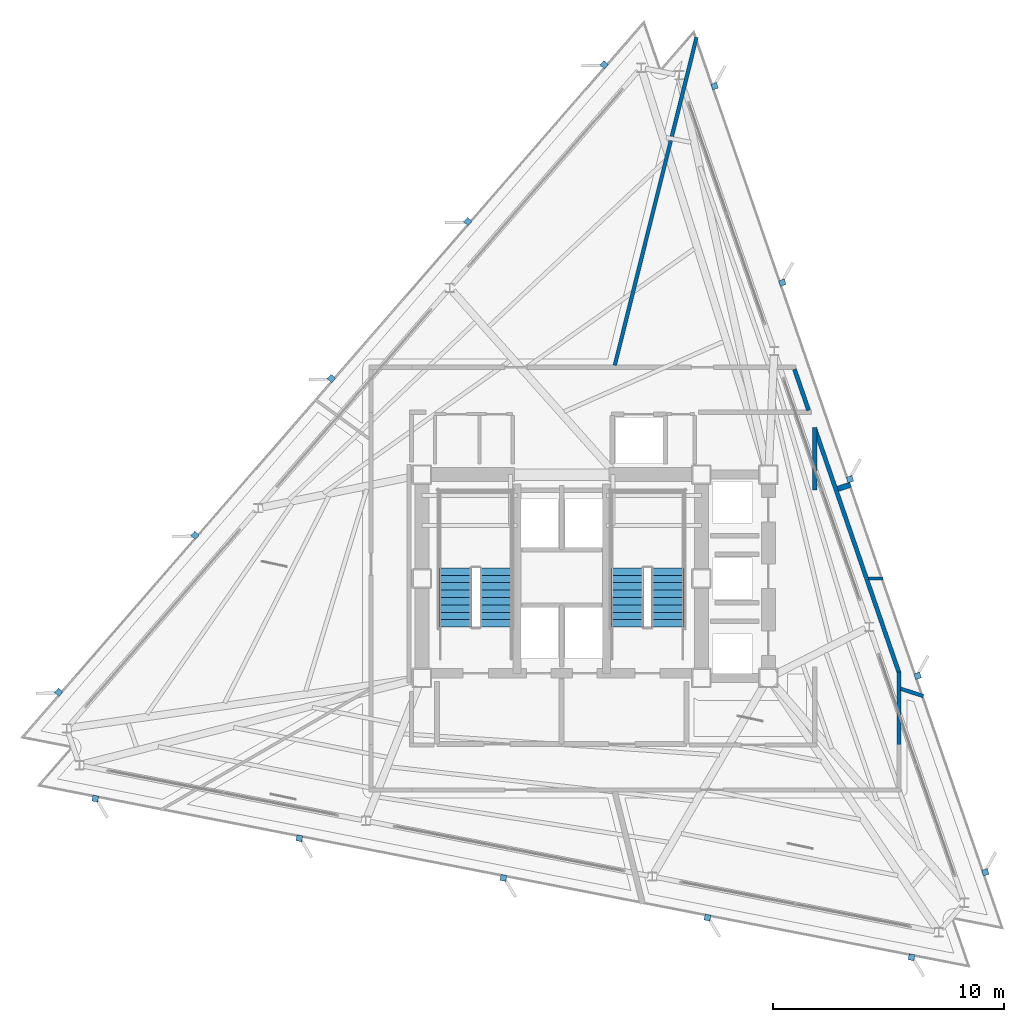
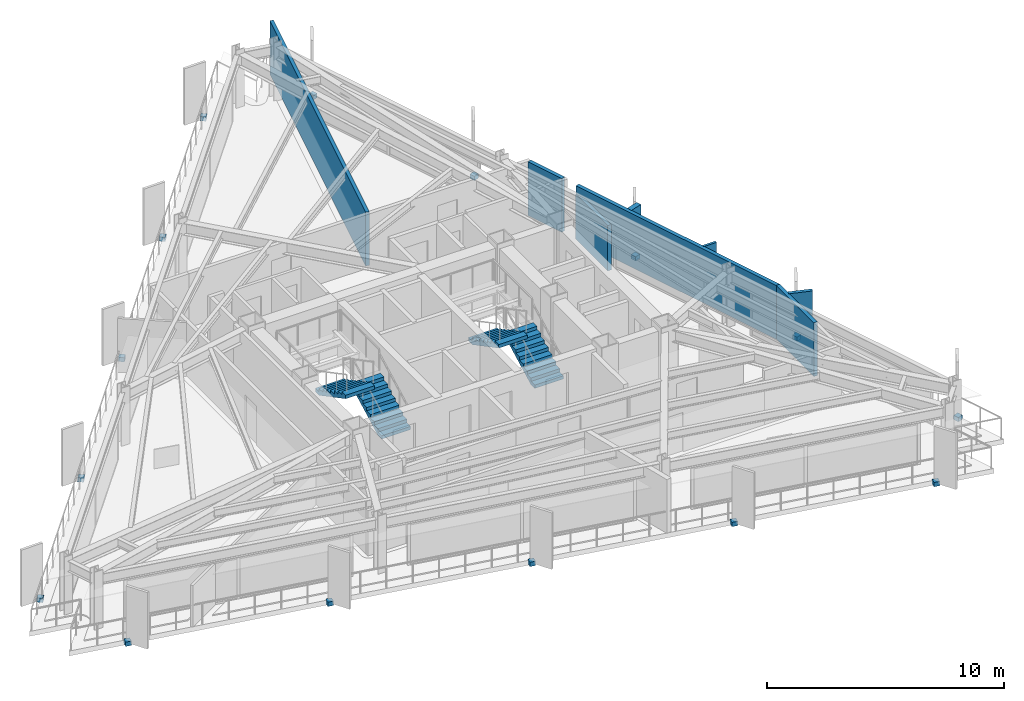
# One storey, part 10 of 13: 15 discrete accessories, 8 walls, 4 stair flights, 2 elements without a shape of their own.
"""IFC4 building model written with IfcOpenShell, lengths in metres."""

from ifc_helpers import new_model, si_unit, direction, frame, frame_2d, origin, origin_2d, place, context, subcontext, project, spatial, polyline, rectangle, outline, extrude, material, layer, layer_set, type_object, element, aggregate, save


model = new_model("IFC4")

# Units and contexts
model_context = context("Model", 3, precision=1e-05, world=origin(), true_north=direction((0.0, 1.0)))
body_context = subcontext(model_context, "Body", "Model", "MODEL_VIEW")
ifc_project = project(units=[si_unit("LENGTHUNIT", "METRE"), si_unit("AREAUNIT", "SQUARE_METRE"), si_unit("VOLUMEUNIT", "CUBIC_METRE"), si_unit("PLANEANGLEUNIT", "RADIAN"), si_unit("MASSUNIT", "GRAM", prefix="KILO")], contexts=[model_context])

# Site, building, storey
site_placement = place(None, origin())
site = spatial("IfcSite", under=ifc_project, at=site_placement, CompositionType="ELEMENT")
building_placement = place(site_placement, origin())
building = spatial("IfcBuilding", under=site, at=building_placement, Name="Rocaltana Carrier Exchange", CompositionType="ELEMENT")
storey_placement = place(building_placement, frame((0.0, 0.0, 153.280029296875)))
storey = spatial("IfcBuildingStorey", under=building, at=storey_placement, Name="L48", CompositionType="ELEMENT", Elevation=153.280029296875)

# Walls
ifc_material_1 = material(Name="Double Acoustic Gypsum Partition", Category="gypsum")
ifc_layer_1 = layer(ifc_material_1, 0.159912109375)
ifc_layer_set_1 = layer_set([ifc_layer_1], Name="Double Acoustic Gypsum Partition")
wall_type_1 = type_object("IfcWallType", Name="Acoustic Studio Partition 160 EI60", PredefinedType="PARTITIONING", material=ifc_layer_set_1)
wall_1_placement = place(storey_placement, frame((14.679931640625, -4.769775390625, 0.0), z_axis=(0.0, 0.0, 1.0), x_axis=(0.951039270022, -0.309070067906, 0.0)))
element("IfcWall", 1, at=wall_1_placement, inside=storey, type_object=wall_type_1, Name="L48 Suite Divider Wall D3", PredefinedType="PARTITIONING", context=body_context, shape_type="SweptSolid", body=[
    extrude(rectangle(XDim=1.034912109375, YDim=0.159912109375, at=frame_2d((0.517578125, 0.0))), origin(), (0.0, 0.0, 1.0), 2.762939453125),
])
wall_2_placement = place(storey_placement, frame((2.30126953125, 9.22998046875, 0.0), z_axis=(0.0, 0.0, 1.0), x_axis=(0.241931245301, 0.970293395086, 0.0)))
element("IfcWall", 2, at=wall_2_placement, inside=storey, type_object=wall_type_1, Name="L48 Suite Divider Wall D6", PredefinedType="PARTITIONING", context=body_context, shape_type="SweptSolid", body=[
    extrude(rectangle(XDim=14.638427734375, YDim=0.159912109375, at=frame_2d((7.3193359375, 0.0))), origin(), (0.0, 0.0, 1.0), 2.762939453125),
])
ifc_material_2 = material(Name="Gypsum & Steel Stud Partition", Category="steel")
ifc_layer_2 = layer(ifc_material_2, 0.179931640625)
ifc_layer_set_2 = layer_set([ifc_layer_2], Name="Gypsum & Steel Stud Partition")
wall_type_2 = type_object("IfcWallType", Name="Corridor Fire Partition 180 EI60", PredefinedType="PARTITIONING", material=ifc_layer_set_2)
wall_3_placement = place(storey_placement, frame((10.08154296875, 9.06494140625, 0.0), z_axis=(0.0, 0.0, 1.0), x_axis=(0.325550958337, -0.945524496524, 0.0)))
element("IfcWall", 3, at=wall_3_placement, inside=storey, type_object=wall_type_2, Name="L48 Corridor Partition 7", PredefinedType="PARTITIONING", context=body_context, shape_type="SweptSolid", body=[
    extrude(rectangle(XDim=1.88232421875, YDim=0.179931640625, at=frame_2d((0.941162109375, 0.0))), origin(), (0.0, 0.0, 1.0), 2.762939453125),
])
wall_4_placement = place(storey_placement, frame((10.9599609375, 3.839599609375, 0.0), z_axis=(0.0, 0.0, 1.0), x_axis=(0.0, 1.0, 0.0)))
element("IfcWall", 4, at=wall_4_placement, inside=storey, type_object=wall_type_2, Name="L48 Corridor Partition 16", PredefinedType="PARTITIONING", context=body_context, shape_type="SweptSolid", body=[
    extrude(rectangle(XDim=2.694091796875, YDim=0.179931640625, at=frame_2d((1.34716796875, 0.0))), origin(), (0.0, 0.0, 1.0), 2.330078125),
])
wall_5_placement = place(storey_placement, frame((10.95361328125, 6.53271484375, 0.0), z_axis=(0.0, 0.0, 1.0), x_axis=(0.325553439946, -0.945523642084, 0.0)))
element("IfcWall", 5, at=wall_5_placement, inside=storey, type_object=wall_type_2, Name="L48 Corridor Partition 17", PredefinedType="PARTITIONING", context=body_context, shape_type="SweptSolid", body=[
    extrude(rectangle(XDim=11.220458984375, YDim=0.179931640625, at=frame_2d((5.6103515625, 0.0))), origin(), (0.0, 0.0, 1.0), 2.762939453125),
])
wall_6_placement = place(storey_placement, frame((14.60009765625, -4.03759765625, 0.0), z_axis=(0.0, 0.0, 1.0), x_axis=(0.0, -1.0, 0.0)))
element("IfcWall", 6, at=wall_6_placement, inside=storey, type_object=wall_type_2, Name="L48 Corridor Partition 18", PredefinedType="PARTITIONING", context=body_context, shape_type="SweptSolid", body=[
    extrude(rectangle(XDim=3.182373046875, YDim=0.179931640625, at=frame_2d((1.59130859375, 0.0))), origin(), (0.0, 0.0, 1.0), 2.762939453125),
])
ifc_material_3 = material(Name="Aluminium 6063-T6 & Acoustic Glass", Category="aluminium")
ifc_layer_3 = layer(ifc_material_3, 0.114990234375)
ifc_layer_set_3 = layer_set([ifc_layer_3], Name="Aluminium 6063-T6 & Acoustic Glass")
wall_type_3 = type_object("IfcWallType", Name="Demountable Glazed Lab Partition 115", PredefinedType="MOVABLE", material=ifc_layer_set_3)
wall_7_placement = place(storey_placement, frame((13.28759765625, 0.0, 0.0), z_axis=(0.0, 0.0, 1.0), x_axis=(1.0, 0.0, 0.0)))
element("IfcWall", 7, at=wall_7_placement, inside=storey, type_object=wall_type_3, Name="L48 Suite Divider Wall D4", PredefinedType="MOVABLE", context=body_context, shape_type="SweptSolid", body=[
    extrude(rectangle(XDim=0.6240234375, YDim=0.114990234375, at=frame_2d((0.31201171875, 0.0))), origin(), (0.0, 0.0, 1.0), 2.762939453125),
])
ifc_material_4 = material(Name="Acoustic Calcium Silicate Partition", Category="gypsum")
ifc_layer_4 = layer(ifc_material_4, 0.239990234375)
ifc_layer_set_4 = layer_set([ifc_layer_4], Name="Acoustic Calcium Silicate Partition")
wall_type_4 = type_object("IfcWallType", Name="Heavy Lab Partition 240 EI90", PredefinedType="PARTITIONING", material=ifc_layer_set_4)
wall_8_placement = place(storey_placement, frame((11.950439453125, 3.8828125, 0.0), z_axis=(0.0, 0.0, 1.0), x_axis=(0.951055346906, 0.309020593362, 0.0)))
element("IfcWall", 8, at=wall_8_placement, inside=storey, type_object=wall_type_4, Name="L48 Suite Divider Wall D5", PredefinedType="PARTITIONING", context=body_context, shape_type="SweptSolid", body=[
    extrude(rectangle(XDim=0.590087890625, YDim=0.239990234375, at=frame_2d((0.294921875, 0.0))), origin(), (0.0, 0.0, 1.0), 2.762939453125),
])

# Stair, stair flights
ifc_material_5 = material(Name="Precast concrete C45/55", Category="concrete")
stair_type = type_object("IfcStairType", Name="Standard Dog-Leg Stair 160", PredefinedType="HALF_TURN_STAIR", material=ifc_material_5)
stair_1_placement = place(storey_placement, origin())
stair_1 = element("IfcStair", 9, at=stair_1_placement, inside=storey, type_object=stair_type, Name="L48 Core West Exit Stair ST-1", PredefinedType="HALF_TURN_STAIR")
ifc_material_6 = material(Name="Precast concrete C45/55", Category="concrete")
stair_flight_type = type_object("IfcStairFlightType", Name="Precast Stair Flight 160", PredefinedType="STRAIGHT", material=ifc_material_6)
stair_flight_1_placement = place(storey_placement, frame((-2.840087890625, -2.10009765625, 0.0), z_axis=(0.0, 0.0, 1.0), x_axis=(0.0, 1.0, 0.0)))
stair_flight_1 = element("IfcStairFlight", 10, at=stair_flight_1_placement, type_object=stair_flight_type, Name="ST-1 flight 1", NumberOfRisers=9, NumberOfTreads=8, PredefinedType="STRAIGHT", RiserHeight=0.168888889, TreadLength=0.32, context=body_context, shape_type="SweptSolid", body=[
    extrude(outline(polyline([(0.0, 0.0), (0.0, 0.1689453125), (0.320068359375, 0.1689453125), (0.320068359375, 0.337890625), (0.639892578125, 0.337890625), (0.639892578125, 0.506591796875), (0.9599609375, 0.506591796875), (0.9599609375, 0.675537109375), (1.280029296875, 0.675537109375), (1.280029296875, 0.844482421875), (1.60009765625, 0.844482421875), (1.60009765625, 1.013427734375), (1.919921875, 1.013427734375), (1.919921875, 1.18212890625), (2.239990234375, 1.18212890625), (2.239990234375, 1.35107421875), (2.56005859375, 1.35107421875), (2.56005859375, 1.52001953125), (2.56005859375, 1.17041015625), (0.342529296875, 0.0), (0.0, 0.0)])), frame((0.0, 0.699951171875, 0.0), z_axis=(0.0, -1.0, 0.0), x_axis=(1.0, 0.0, 0.0)), (0.0, 0.0, 1.0), 1.39990234375),
])
stair_flight_2_placement = place(storey_placement, frame((-4.60009765625, 0.4599609375, 1.52001953125), z_axis=(0.0, 0.0, 1.0), x_axis=(0.0, -1.0, 0.0)))
stair_flight_2 = element("IfcStairFlight", 11, at=stair_flight_2_placement, type_object=stair_flight_type, Name="ST-1 flight 2", NumberOfRisers=9, NumberOfTreads=8, PredefinedType="STRAIGHT", RiserHeight=0.168888889, TreadLength=0.32, context=body_context, shape_type="SweptSolid", body=[
    extrude(outline(polyline([(0.0, 0.0), (0.0, 0.1689453125), (0.320068359375, 0.1689453125), (0.320068359375, 0.337890625), (0.639892578125, 0.337890625), (0.639892578125, 0.506591796875), (0.9599609375, 0.506591796875), (0.9599609375, 0.675537109375), (1.280029296875, 0.675537109375), (1.280029296875, 0.844482421875), (1.60009765625, 0.844482421875), (1.60009765625, 1.013427734375), (1.919921875, 1.013427734375), (1.919921875, 1.18212890625), (2.239990234375, 1.18212890625), (2.239990234375, 1.35107421875), (2.56005859375, 1.35107421875), (2.56005859375, 1.52001953125), (2.56005859375, 1.17041015625), (0.342529296875, 0.0), (0.0, 0.0)])), frame((0.0, 0.699951171875, 0.0), z_axis=(0.0, -1.0, 0.0), x_axis=(1.0, 0.0, 0.0)), (0.0, 0.0, 1.0), 1.39990234375),
])
aggregate(stair_1, [stair_flight_1, stair_flight_2])

stair_2_placement = place(storey_placement, origin())
stair_2 = element("IfcStair", 12, at=stair_2_placement, inside=storey, type_object=stair_type, Name="L48 Core East Exit Stair ST-2", PredefinedType="HALF_TURN_STAIR")
stair_flight_3_placement = place(storey_placement, frame((4.60009765625, -2.10009765625, 0.0), z_axis=(0.0, 0.0, 1.0), x_axis=(0.0, 1.0, 0.0)))
stair_flight_3 = element("IfcStairFlight", 13, at=stair_flight_3_placement, type_object=stair_flight_type, Name="ST-2 flight 1", NumberOfRisers=9, NumberOfTreads=8, PredefinedType="STRAIGHT", RiserHeight=0.168888889, TreadLength=0.32, context=body_context, shape_type="SweptSolid", body=[
    extrude(outline(polyline([(0.0, 0.0), (0.0, 0.1689453125), (0.320068359375, 0.1689453125), (0.320068359375, 0.337890625), (0.639892578125, 0.337890625), (0.639892578125, 0.506591796875), (0.9599609375, 0.506591796875), (0.9599609375, 0.675537109375), (1.280029296875, 0.675537109375), (1.280029296875, 0.844482421875), (1.60009765625, 0.844482421875), (1.60009765625, 1.013427734375), (1.919921875, 1.013427734375), (1.919921875, 1.18212890625), (2.239990234375, 1.18212890625), (2.239990234375, 1.35107421875), (2.56005859375, 1.35107421875), (2.56005859375, 1.52001953125), (2.56005859375, 1.17041015625), (0.342529296875, 0.0), (0.0, 0.0)])), frame((0.0, 0.699951171875, 0.0), z_axis=(0.0, -1.0, 0.0), x_axis=(1.0, 0.0, 0.0)), (0.0, 0.0, 1.0), 1.39990234375),
])
stair_flight_4_placement = place(storey_placement, frame((2.840087890625, 0.4599609375, 1.52001953125), z_axis=(0.0, 0.0, 1.0), x_axis=(0.0, -1.0, 0.0)))
stair_flight_4 = element("IfcStairFlight", 14, at=stair_flight_4_placement, type_object=stair_flight_type, Name="ST-2 flight 2", NumberOfRisers=9, NumberOfTreads=8, PredefinedType="STRAIGHT", RiserHeight=0.168888889, TreadLength=0.32, context=body_context, shape_type="SweptSolid", body=[
    extrude(outline(polyline([(0.0, 0.0), (0.0, 0.1689453125), (0.320068359375, 0.1689453125), (0.320068359375, 0.337890625), (0.639892578125, 0.337890625), (0.639892578125, 0.506591796875), (0.9599609375, 0.506591796875), (0.9599609375, 0.675537109375), (1.280029296875, 0.675537109375), (1.280029296875, 0.844482421875), (1.60009765625, 0.844482421875), (1.60009765625, 1.013427734375), (1.919921875, 1.013427734375), (1.919921875, 1.18212890625), (2.239990234375, 1.18212890625), (2.239990234375, 1.35107421875), (2.56005859375, 1.35107421875), (2.56005859375, 1.52001953125), (2.56005859375, 1.17041015625), (0.342529296875, 0.0), (0.0, 0.0)])), frame((0.0, 0.699951171875, 0.0), z_axis=(0.0, -1.0, 0.0), x_axis=(1.0, 0.0, 0.0)), (0.0, 0.0, 1.0), 1.39990234375),
])
aggregate(stair_2, [stair_flight_3, stair_flight_4])

# Discrete accessories
ifc_material_7 = material(Name="Brushed Architectural Stainless Metal", Category="steel")
ifc_layer_5 = layer(ifc_material_7, 0.219970703125)
ifc_layer_set_5 = layer_set([ifc_layer_5], Name="Brushed Architectural Stainless Metal")
discrete_accessory_type = type_object("IfcDiscreteAccessoryType", Name="Stainless Fin Slab-Edge Bracket 260x260x220", PredefinedType="BRACKET", material=ifc_layer_set_5)
for number, where, z_axis, x_axis, name in (
    (15, (18.344482421875, -12.720703125, -0.2099609375), (0.0, 0.0, 1.0), (-0.325568154457, 0.945518575599, 0.0), "L48 Sandstone Fin Edge Bracket F1-01"),
    (16, (15.414306640625, -4.2109375, -0.2099609375), (0.0, 0.0, 1.0), (-0.325568154457, 0.945518575599, 0.0), "L48 Sandstone Fin Edge Bracket F1-02"),
    (17, (12.484130859375, 4.298583984375, -0.2099609375), (0.0, 0.0, 1.0), (-0.325568154457, 0.945518575599, 0.0), "L48 Sandstone Fin Edge Bracket F1-03"),
    (18, (9.55419921875, 12.808349609375, -0.2099609375), (0.0, 0.0, 1.0), (-0.325568154457, 0.945518575599, 0.0), "L48 Sandstone Fin Edge Bracket F1-04"),
    (19, (6.6240234375, 21.318115234375, -0.2099609375), (0.0, 0.0, 1.0), (-0.325568154457, 0.945518575599, 0.0), "L48 Sandstone Fin Edge Bracket F1-05"),
    (20, (1.84423828125, 22.2470703125, -0.2099609375), (0.0, 0.0, 1.0), (-0.656059028991, -0.754709580223, 0.0), "L48 Sandstone Fin Edge Bracket F2-01"),
    (21, (-4.060302734375, 15.45458984375, -0.2099609375), (0.0, 0.0, 1.0), (-0.656059028991, -0.754709580223, 0.0), "L48 Sandstone Fin Edge Bracket F2-02"),
    (22, (-9.96484375, 8.662353515625, -0.2099609375), (0.0, 0.0, 1.0), (-0.656059028991, -0.754709580223, 0.0), "L48 Sandstone Fin Edge Bracket F2-03"),
    (23, (-15.869384765625, 1.869873046875, -0.2099609375), (0.0, 0.0, 1.0), (-0.656059028991, -0.754709580223, 0.0), "L48 Sandstone Fin Edge Bracket F2-04"),
    (24, (-21.77392578125, -4.92236328125, -0.2099609375), (0.0, 0.0, 1.0), (-0.656059028991, -0.754709580223, 0.0), "L48 Sandstone Fin Edge Bracket F2-05"),
    (25, (-20.188720703125, -9.5263671875, -0.2099609375), (0.0, 0.0, 1.0), (0.981627183448, -0.190808995377, 0.0), "L48 Sandstone Fin Edge Bracket F3-01"),
    (26, (-11.35400390625, -11.24365234375, -0.2099609375), (0.0, 0.0, 1.0), (0.981627183448, -0.190808995377, 0.0), "L48 Sandstone Fin Edge Bracket F3-02"),
    (27, (-2.519287109375, -12.9609375, -0.2099609375), (0.0, 0.0, 1.0), (0.981627183448, -0.190808995377, 0.0), "L48 Sandstone Fin Edge Bracket F3-03"),
    (28, (6.315185546875, -14.67822265625, -0.2099609375), (0.0, 0.0, 1.0), (0.981627183448, -0.190808995377, 0.0), "L48 Sandstone Fin Edge Bracket F3-04"),
    (29, (15.14990234375, -16.3955078125, -0.2099609375), (0.0, 0.0, 1.0), (0.981627183448, -0.190808995377, 0.0), "L48 Sandstone Fin Edge Bracket F3-05"),
):
    element("IfcDiscreteAccessory", number, at=place(storey_placement, frame(where, z_axis=z_axis, x_axis=x_axis)), inside=storey, type_object=discrete_accessory_type, Name=name, PredefinedType="BRACKET", context=body_context, shape_type="SweptSolid", body=[
        extrude(rectangle(XDim=0.260009765625, YDim=0.260009765625, at=origin_2d()), origin(), (0.0, 0.0, 1.0), 0.219970703125),
    ])

save(model, "model.ifc")
